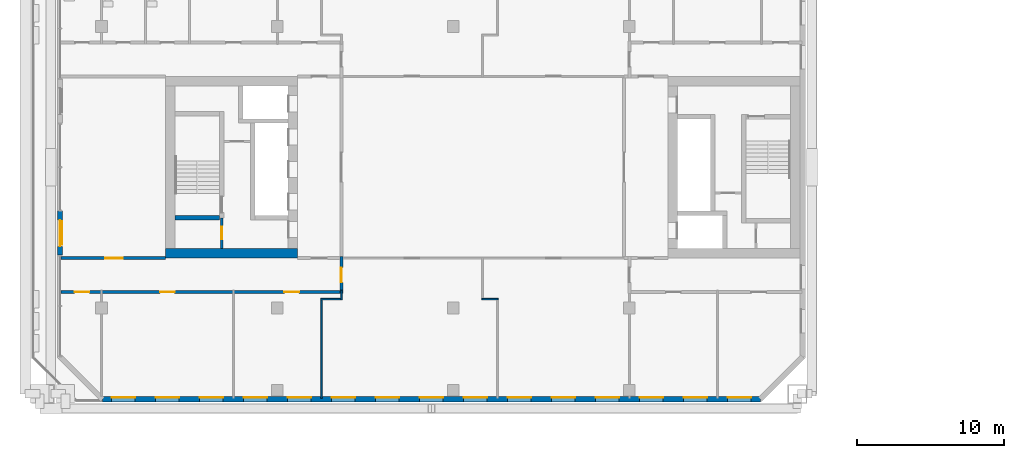
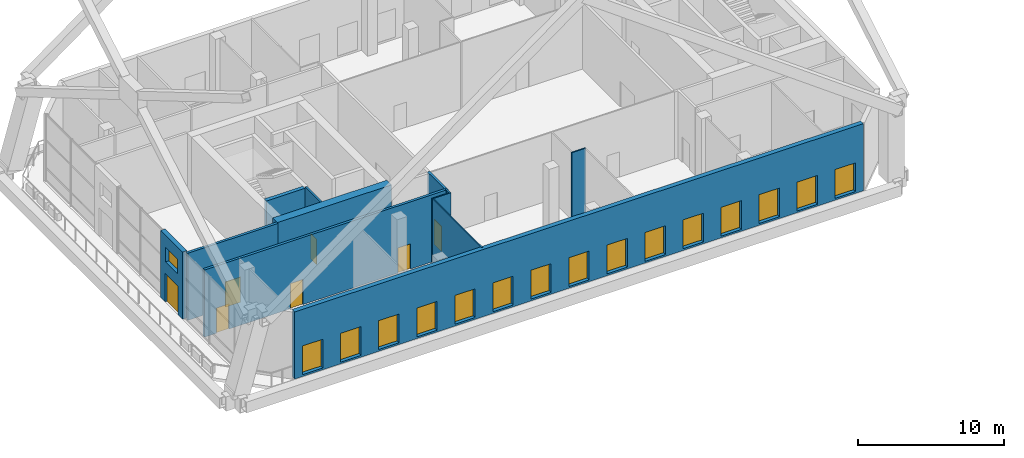
# One storey, part 9 of 20: 16 windows, 12 walls, 7 doors, 23 openings.
"""IFC4 building model written with IfcOpenShell, lengths in metres."""

from ifc_helpers import new_model, si_unit, direction, frame, frame_2d, origin, place, context, subcontext, project, spatial, rectangle, extrude, material, layer, layer_set, type_object, element, fill, save


model = new_model("IFC4")

# Units and contexts
model_context = context("Model", 3, precision=1e-05, world=origin(), true_north=direction((0.0, 1.0)))
body_context = subcontext(model_context, "Body", "Model", "MODEL_VIEW")
ifc_project = project(units=[si_unit("LENGTHUNIT", "METRE"), si_unit("AREAUNIT", "SQUARE_METRE"), si_unit("VOLUMEUNIT", "CUBIC_METRE"), si_unit("PLANEANGLEUNIT", "RADIAN"), si_unit("MASSUNIT", "GRAM", prefix="KILO")], contexts=[model_context])

# Site, building, storey
site_placement = place(None, origin())
site = spatial("IfcSite", under=ifc_project, at=site_placement, CompositionType="ELEMENT")
building_placement = place(site_placement, origin())
building = spatial("IfcBuilding", under=site, at=building_placement, Name="Tuart Gate Housing", CompositionType="ELEMENT")
storey_placement = place(building_placement, frame((0.0, 0.0, 90.199951171875)))
storey = spatial("IfcBuildingStorey", under=building, at=storey_placement, Name="L25", CompositionType="ELEMENT", Elevation=90.199951171875)

# Wall, openings, windows
ifc_material_1 = material(Name="Brick", Category="masonry")
ifc_layer_1 = layer(ifc_material_1, 0.360107421875)
ifc_layer_set_1 = layer_set([ifc_layer_1], Name="Brick pier and spandrel wall 360")
wall_type_1 = type_object("IfcWallType", Name="Brick pier and spandrel wall 360", PredefinedType="STANDARD", material=ifc_layer_set_1)
wall_1_placement = place(storey_placement, frame((28.07470703125, 54.179931640625, 0.0), z_axis=(0.0, 0.0, 1.0), x_axis=(1.0, 0.0, 0.0)))
wall_1 = element("IfcWall", 1, at=wall_1_placement, inside=storey, type_object=wall_type_1, Name="External wall A-S L25", PredefinedType="STANDARD", context=body_context, shape_type="SweptSolid", body=[
    extrude(rectangle(XDim=44.850830078125, YDim=0.360107421875, at=frame_2d((22.42529296875, 0.0))), origin(), (0.0, 0.0, 1.0), 5.60009765625),
])
opening_1_placement = place(wall_1_placement, frame((0.62548828125, 0.0, 0.14990234375)))
opening_1 = element("IfcOpeningElement", 2, at=opening_1_placement, cuts=wall_1, Name="Opening W2", PredefinedType="OPENING", context=body_context, shape_type="SweptSolid", body=[
    extrude(rectangle(XDim=1.60009765625, YDim=2.39990234375, at=frame_2d((0.800048828125, 1.199951171875))), frame((0.0, 0.18994140625, 0.0), z_axis=(0.0, -1.0, 0.0), x_axis=(1.0, 0.0, 0.0)), (0.0, 0.0, 1.0), 0.380126953125),
])
opening_2_placement = place(wall_1_placement, frame((3.62548828125, 0.0, 0.14990234375)))
opening_2 = element("IfcOpeningElement", 3, at=opening_2_placement, cuts=wall_1, Name="Opening W2", PredefinedType="OPENING", context=body_context, shape_type="SweptSolid", body=[
    extrude(rectangle(XDim=1.60009765625, YDim=2.39990234375, at=frame_2d((0.800048828125, 1.199951171875))), frame((0.0, 0.18994140625, 0.0), z_axis=(0.0, -1.0, 0.0), x_axis=(1.0, 0.0, 0.0)), (0.0, 0.0, 1.0), 0.380126953125),
])
opening_3_placement = place(wall_1_placement, frame((6.62548828125, 0.0, 0.14990234375)))
opening_3 = element("IfcOpeningElement", 4, at=opening_3_placement, cuts=wall_1, Name="Opening W2", PredefinedType="OPENING", context=body_context, shape_type="SweptSolid", body=[
    extrude(rectangle(XDim=1.60009765625, YDim=2.39990234375, at=frame_2d((0.800048828125, 1.199951171875))), frame((0.0, 0.18994140625, 0.0), z_axis=(0.0, -1.0, 0.0), x_axis=(1.0, 0.0, 0.0)), (0.0, 0.0, 1.0), 0.380126953125),
])
opening_4_placement = place(wall_1_placement, frame((9.62548828125, 0.0, 0.14990234375)))
opening_4 = element("IfcOpeningElement", 5, at=opening_4_placement, cuts=wall_1, Name="Opening W2", PredefinedType="OPENING", context=body_context, shape_type="SweptSolid", body=[
    extrude(rectangle(XDim=1.60009765625, YDim=2.39990234375, at=frame_2d((0.800048828125, 1.199951171875))), frame((0.0, 0.18994140625, 0.0), z_axis=(0.0, -1.0, 0.0), x_axis=(1.0, 0.0, 0.0)), (0.0, 0.0, 1.0), 0.380126953125),
])
opening_5_placement = place(wall_1_placement, frame((12.62548828125, 0.0, 0.14990234375)))
opening_5 = element("IfcOpeningElement", 6, at=opening_5_placement, cuts=wall_1, Name="Opening W2", PredefinedType="OPENING", context=body_context, shape_type="SweptSolid", body=[
    extrude(rectangle(XDim=1.60009765625, YDim=2.39990234375, at=frame_2d((0.800048828125, 1.199951171875))), frame((0.0, 0.18994140625, 0.0), z_axis=(0.0, -1.0, 0.0), x_axis=(1.0, 0.0, 0.0)), (0.0, 0.0, 1.0), 0.380126953125),
])
opening_6_placement = place(wall_1_placement, frame((15.62548828125, 0.0, 0.14990234375)))
opening_6 = element("IfcOpeningElement", 7, at=opening_6_placement, cuts=wall_1, Name="Opening W2", PredefinedType="OPENING", context=body_context, shape_type="SweptSolid", body=[
    extrude(rectangle(XDim=1.60009765625, YDim=2.39990234375, at=frame_2d((0.800048828125, 1.199951171875))), frame((0.0, 0.18994140625, 0.0), z_axis=(0.0, -1.0, 0.0), x_axis=(1.0, 0.0, 0.0)), (0.0, 0.0, 1.0), 0.380126953125),
])
opening_7_placement = place(wall_1_placement, frame((18.62548828125, 0.0, 0.14990234375)))
opening_7 = element("IfcOpeningElement", 8, at=opening_7_placement, cuts=wall_1, Name="Opening W2", PredefinedType="OPENING", context=body_context, shape_type="SweptSolid", body=[
    extrude(rectangle(XDim=1.60009765625, YDim=2.39990234375, at=frame_2d((0.800048828125, 1.199951171875))), frame((0.0, 0.18994140625, 0.0), z_axis=(0.0, -1.0, 0.0), x_axis=(1.0, 0.0, 0.0)), (0.0, 0.0, 1.0), 0.380126953125),
])
opening_8_placement = place(wall_1_placement, frame((21.62548828125, 0.0, 0.14990234375)))
opening_8 = element("IfcOpeningElement", 9, at=opening_8_placement, cuts=wall_1, Name="Opening W2", PredefinedType="OPENING", context=body_context, shape_type="SweptSolid", body=[
    extrude(rectangle(XDim=1.60009765625, YDim=2.39990234375, at=frame_2d((0.800048828125, 1.199951171875))), frame((0.0, 0.18994140625, 0.0), z_axis=(0.0, -1.0, 0.0), x_axis=(1.0, 0.0, 0.0)), (0.0, 0.0, 1.0), 0.380126953125),
])
opening_9_placement = place(wall_1_placement, frame((24.62548828125, 0.0, 0.14990234375)))
opening_9 = element("IfcOpeningElement", 10, at=opening_9_placement, cuts=wall_1, Name="Opening W2", PredefinedType="OPENING", context=body_context, shape_type="SweptSolid", body=[
    extrude(rectangle(XDim=1.60009765625, YDim=2.39990234375, at=frame_2d((0.800048828125, 1.199951171875))), frame((0.0, 0.18994140625, 0.0), z_axis=(0.0, -1.0, 0.0), x_axis=(1.0, 0.0, 0.0)), (0.0, 0.0, 1.0), 0.380126953125),
])
opening_10_placement = place(wall_1_placement, frame((27.62548828125, 0.0, 0.14990234375)))
opening_10 = element("IfcOpeningElement", 11, at=opening_10_placement, cuts=wall_1, Name="Opening W2", PredefinedType="OPENING", context=body_context, shape_type="SweptSolid", body=[
    extrude(rectangle(XDim=1.60009765625, YDim=2.39990234375, at=frame_2d((0.800048828125, 1.199951171875))), frame((0.0, 0.18994140625, 0.0), z_axis=(0.0, -1.0, 0.0), x_axis=(1.0, 0.0, 0.0)), (0.0, 0.0, 1.0), 0.380126953125),
])
opening_11_placement = place(wall_1_placement, frame((30.62548828125, 0.0, 0.14990234375)))
opening_11 = element("IfcOpeningElement", 12, at=opening_11_placement, cuts=wall_1, Name="Opening W2", PredefinedType="OPENING", context=body_context, shape_type="SweptSolid", body=[
    extrude(rectangle(XDim=1.60009765625, YDim=2.39990234375, at=frame_2d((0.800048828125, 1.199951171875))), frame((0.0, 0.18994140625, 0.0), z_axis=(0.0, -1.0, 0.0), x_axis=(1.0, 0.0, 0.0)), (0.0, 0.0, 1.0), 0.380126953125),
])
opening_12_placement = place(wall_1_placement, frame((33.62548828125, 0.0, 0.14990234375)))
opening_12 = element("IfcOpeningElement", 13, at=opening_12_placement, cuts=wall_1, Name="Opening W2", PredefinedType="OPENING", context=body_context, shape_type="SweptSolid", body=[
    extrude(rectangle(XDim=1.60009765625, YDim=2.39990234375, at=frame_2d((0.800048828125, 1.199951171875))), frame((0.0, 0.18994140625, 0.0), z_axis=(0.0, -1.0, 0.0), x_axis=(1.0, 0.0, 0.0)), (0.0, 0.0, 1.0), 0.380126953125),
])
opening_13_placement = place(wall_1_placement, frame((36.62548828125, 0.0, 0.14990234375)))
opening_13 = element("IfcOpeningElement", 14, at=opening_13_placement, cuts=wall_1, Name="Opening W2", PredefinedType="OPENING", context=body_context, shape_type="SweptSolid", body=[
    extrude(rectangle(XDim=1.60009765625, YDim=2.39990234375, at=frame_2d((0.800048828125, 1.199951171875))), frame((0.0, 0.18994140625, 0.0), z_axis=(0.0, -1.0, 0.0), x_axis=(1.0, 0.0, 0.0)), (0.0, 0.0, 1.0), 0.380126953125),
])
opening_14_placement = place(wall_1_placement, frame((39.62548828125, 0.0, 0.14990234375)))
opening_14 = element("IfcOpeningElement", 15, at=opening_14_placement, cuts=wall_1, Name="Opening W2", PredefinedType="OPENING", context=body_context, shape_type="SweptSolid", body=[
    extrude(rectangle(XDim=1.60009765625, YDim=2.39990234375, at=frame_2d((0.800048828125, 1.199951171875))), frame((0.0, 0.18994140625, 0.0), z_axis=(0.0, -1.0, 0.0), x_axis=(1.0, 0.0, 0.0)), (0.0, 0.0, 1.0), 0.380126953125),
])
opening_15_placement = place(wall_1_placement, frame((42.62548828125, 0.0, 0.14990234375)))
opening_15 = element("IfcOpeningElement", 16, at=opening_15_placement, cuts=wall_1, Name="Opening W2", PredefinedType="OPENING", context=body_context, shape_type="SweptSolid", body=[
    extrude(rectangle(XDim=1.60009765625, YDim=2.39990234375, at=frame_2d((0.800048828125, 1.199951171875))), frame((0.0, 0.18994140625, 0.0), z_axis=(0.0, -1.0, 0.0), x_axis=(1.0, 0.0, 0.0)), (0.0, 0.0, 1.0), 0.380126953125),
])
ifc_material_2 = material(Name="Aluminium frame with clear glass", Category="aluminium")
window_type_1 = type_object("IfcWindowType", Name="Garden lounge window 1600 x 2400", PartitioningType="SINGLE_PANEL", PredefinedType="WINDOW", material=ifc_material_2)
window_1_placement = place(opening_1_placement, origin())
window_1 = element("IfcWindow", 17, at=window_1_placement, inside=storey, type_object=window_type_1, Name="Window W2", OverallHeight=2.39990234375, OverallWidth=1.60009765625, PartitioningType="SINGLE_PANEL", PredefinedType="WINDOW", context=body_context, shape_type="SweptSolid", body=[
    extrude(rectangle(XDim=1.60009765625, YDim=2.39990234375, at=frame_2d((0.800048828125, 1.199951171875))), frame((0.0, 0.150146484375, 0.0), z_axis=(0.0, -1.0, 0.0), x_axis=(1.0, 0.0, 0.0)), (0.0, 0.0, 1.0), 0.06005859375),
])
fill(opening_1, window_1)
window_2_placement = place(opening_2_placement, origin())
window_2 = element("IfcWindow", 18, at=window_2_placement, inside=storey, type_object=window_type_1, Name="Window W2", OverallHeight=2.39990234375, OverallWidth=1.60009765625, PartitioningType="SINGLE_PANEL", PredefinedType="WINDOW", context=body_context, shape_type="SweptSolid", body=[
    extrude(rectangle(XDim=1.60009765625, YDim=2.39990234375, at=frame_2d((0.800048828125, 1.199951171875))), frame((0.0, 0.150146484375, 0.0), z_axis=(0.0, -1.0, 0.0), x_axis=(1.0, 0.0, 0.0)), (0.0, 0.0, 1.0), 0.06005859375),
])
fill(opening_2, window_2)
window_3_placement = place(opening_3_placement, origin())
window_3 = element("IfcWindow", 19, at=window_3_placement, inside=storey, type_object=window_type_1, Name="Window W2", OverallHeight=2.39990234375, OverallWidth=1.60009765625, PartitioningType="SINGLE_PANEL", PredefinedType="WINDOW", context=body_context, shape_type="SweptSolid", body=[
    extrude(rectangle(XDim=1.60009765625, YDim=2.39990234375, at=frame_2d((0.800048828125, 1.199951171875))), frame((0.0, 0.150146484375, 0.0), z_axis=(0.0, -1.0, 0.0), x_axis=(1.0, 0.0, 0.0)), (0.0, 0.0, 1.0), 0.06005859375),
])
fill(opening_3, window_3)
window_4_placement = place(opening_4_placement, origin())
window_4 = element("IfcWindow", 20, at=window_4_placement, inside=storey, type_object=window_type_1, Name="Window W2", OverallHeight=2.39990234375, OverallWidth=1.60009765625, PartitioningType="SINGLE_PANEL", PredefinedType="WINDOW", context=body_context, shape_type="SweptSolid", body=[
    extrude(rectangle(XDim=1.60009765625, YDim=2.39990234375, at=frame_2d((0.800048828125, 1.199951171875))), frame((0.0, 0.150146484375, 0.0), z_axis=(0.0, -1.0, 0.0), x_axis=(1.0, 0.0, 0.0)), (0.0, 0.0, 1.0), 0.06005859375),
])
fill(opening_4, window_4)
window_5_placement = place(opening_5_placement, origin())
window_5 = element("IfcWindow", 21, at=window_5_placement, inside=storey, type_object=window_type_1, Name="Window W2", OverallHeight=2.39990234375, OverallWidth=1.60009765625, PartitioningType="SINGLE_PANEL", PredefinedType="WINDOW", context=body_context, shape_type="SweptSolid", body=[
    extrude(rectangle(XDim=1.60009765625, YDim=2.39990234375, at=frame_2d((0.800048828125, 1.199951171875))), frame((0.0, 0.150146484375, 0.0), z_axis=(0.0, -1.0, 0.0), x_axis=(1.0, 0.0, 0.0)), (0.0, 0.0, 1.0), 0.06005859375),
])
fill(opening_5, window_5)
window_6_placement = place(opening_6_placement, origin())
window_6 = element("IfcWindow", 22, at=window_6_placement, inside=storey, type_object=window_type_1, Name="Window W2", OverallHeight=2.39990234375, OverallWidth=1.60009765625, PartitioningType="SINGLE_PANEL", PredefinedType="WINDOW", context=body_context, shape_type="SweptSolid", body=[
    extrude(rectangle(XDim=1.60009765625, YDim=2.39990234375, at=frame_2d((0.800048828125, 1.199951171875))), frame((0.0, 0.150146484375, 0.0), z_axis=(0.0, -1.0, 0.0), x_axis=(1.0, 0.0, 0.0)), (0.0, 0.0, 1.0), 0.06005859375),
])
fill(opening_6, window_6)
window_7_placement = place(opening_7_placement, origin())
window_7 = element("IfcWindow", 23, at=window_7_placement, inside=storey, type_object=window_type_1, Name="Window W2", OverallHeight=2.39990234375, OverallWidth=1.60009765625, PartitioningType="SINGLE_PANEL", PredefinedType="WINDOW", context=body_context, shape_type="SweptSolid", body=[
    extrude(rectangle(XDim=1.60009765625, YDim=2.39990234375, at=frame_2d((0.800048828125, 1.199951171875))), frame((0.0, 0.150146484375, 0.0), z_axis=(0.0, -1.0, 0.0), x_axis=(1.0, 0.0, 0.0)), (0.0, 0.0, 1.0), 0.06005859375),
])
fill(opening_7, window_7)
window_8_placement = place(opening_8_placement, origin())
window_8 = element("IfcWindow", 24, at=window_8_placement, inside=storey, type_object=window_type_1, Name="Window W2", OverallHeight=2.39990234375, OverallWidth=1.60009765625, PartitioningType="SINGLE_PANEL", PredefinedType="WINDOW", context=body_context, shape_type="SweptSolid", body=[
    extrude(rectangle(XDim=1.60009765625, YDim=2.39990234375, at=frame_2d((0.800048828125, 1.199951171875))), frame((0.0, 0.150146484375, 0.0), z_axis=(0.0, -1.0, 0.0), x_axis=(1.0, 0.0, 0.0)), (0.0, 0.0, 1.0), 0.06005859375),
])
fill(opening_8, window_8)
window_9_placement = place(opening_9_placement, origin())
window_9 = element("IfcWindow", 25, at=window_9_placement, inside=storey, type_object=window_type_1, Name="Window W2", OverallHeight=2.39990234375, OverallWidth=1.60009765625, PartitioningType="SINGLE_PANEL", PredefinedType="WINDOW", context=body_context, shape_type="SweptSolid", body=[
    extrude(rectangle(XDim=1.60009765625, YDim=2.39990234375, at=frame_2d((0.800048828125, 1.199951171875))), frame((0.0, 0.150146484375, 0.0), z_axis=(0.0, -1.0, 0.0), x_axis=(1.0, 0.0, 0.0)), (0.0, 0.0, 1.0), 0.06005859375),
])
fill(opening_9, window_9)
window_10_placement = place(opening_10_placement, origin())
window_10 = element("IfcWindow", 26, at=window_10_placement, inside=storey, type_object=window_type_1, Name="Window W2", OverallHeight=2.39990234375, OverallWidth=1.60009765625, PartitioningType="SINGLE_PANEL", PredefinedType="WINDOW", context=body_context, shape_type="SweptSolid", body=[
    extrude(rectangle(XDim=1.60009765625, YDim=2.39990234375, at=frame_2d((0.800048828125, 1.199951171875))), frame((0.0, 0.150146484375, 0.0), z_axis=(0.0, -1.0, 0.0), x_axis=(1.0, 0.0, 0.0)), (0.0, 0.0, 1.0), 0.06005859375),
])
fill(opening_10, window_10)
window_11_placement = place(opening_11_placement, origin())
window_11 = element("IfcWindow", 27, at=window_11_placement, inside=storey, type_object=window_type_1, Name="Window W2", OverallHeight=2.39990234375, OverallWidth=1.60009765625, PartitioningType="SINGLE_PANEL", PredefinedType="WINDOW", context=body_context, shape_type="SweptSolid", body=[
    extrude(rectangle(XDim=1.60009765625, YDim=2.39990234375, at=frame_2d((0.800048828125, 1.199951171875))), frame((0.0, 0.150146484375, 0.0), z_axis=(0.0, -1.0, 0.0), x_axis=(1.0, 0.0, 0.0)), (0.0, 0.0, 1.0), 0.06005859375),
])
fill(opening_11, window_11)
window_12_placement = place(opening_12_placement, origin())
window_12 = element("IfcWindow", 28, at=window_12_placement, inside=storey, type_object=window_type_1, Name="Window W2", OverallHeight=2.39990234375, OverallWidth=1.60009765625, PartitioningType="SINGLE_PANEL", PredefinedType="WINDOW", context=body_context, shape_type="SweptSolid", body=[
    extrude(rectangle(XDim=1.60009765625, YDim=2.39990234375, at=frame_2d((0.800048828125, 1.199951171875))), frame((0.0, 0.150146484375, 0.0), z_axis=(0.0, -1.0, 0.0), x_axis=(1.0, 0.0, 0.0)), (0.0, 0.0, 1.0), 0.06005859375),
])
fill(opening_12, window_12)
window_13_placement = place(opening_13_placement, origin())
window_13 = element("IfcWindow", 29, at=window_13_placement, inside=storey, type_object=window_type_1, Name="Window W2", OverallHeight=2.39990234375, OverallWidth=1.60009765625, PartitioningType="SINGLE_PANEL", PredefinedType="WINDOW", context=body_context, shape_type="SweptSolid", body=[
    extrude(rectangle(XDim=1.60009765625, YDim=2.39990234375, at=frame_2d((0.800048828125, 1.199951171875))), frame((0.0, 0.150146484375, 0.0), z_axis=(0.0, -1.0, 0.0), x_axis=(1.0, 0.0, 0.0)), (0.0, 0.0, 1.0), 0.06005859375),
])
fill(opening_13, window_13)
window_14_placement = place(opening_14_placement, origin())
window_14 = element("IfcWindow", 30, at=window_14_placement, inside=storey, type_object=window_type_1, Name="Window W2", OverallHeight=2.39990234375, OverallWidth=1.60009765625, PartitioningType="SINGLE_PANEL", PredefinedType="WINDOW", context=body_context, shape_type="SweptSolid", body=[
    extrude(rectangle(XDim=1.60009765625, YDim=2.39990234375, at=frame_2d((0.800048828125, 1.199951171875))), frame((0.0, 0.150146484375, 0.0), z_axis=(0.0, -1.0, 0.0), x_axis=(1.0, 0.0, 0.0)), (0.0, 0.0, 1.0), 0.06005859375),
])
fill(opening_14, window_14)
window_15_placement = place(opening_15_placement, origin())
window_15 = element("IfcWindow", 31, at=window_15_placement, inside=storey, type_object=window_type_1, Name="Window W2", OverallHeight=2.39990234375, OverallWidth=1.60009765625, PartitioningType="SINGLE_PANEL", PredefinedType="WINDOW", context=body_context, shape_type="SweptSolid", body=[
    extrude(rectangle(XDim=1.60009765625, YDim=2.39990234375, at=frame_2d((0.800048828125, 1.199951171875))), frame((0.0, 0.150146484375, 0.0), z_axis=(0.0, -1.0, 0.0), x_axis=(1.0, 0.0, 0.0)), (0.0, 0.0, 1.0), 0.06005859375),
])
fill(opening_15, window_15)

# Wall, openings, door, window
wall_2_placement = place(storey_placement, frame((25.179931640625, 67.0, 0.0), z_axis=(0.0, 0.0, 1.0), x_axis=(0.0, -1.0, 0.0)))
wall_2 = element("IfcWall", 32, at=wall_2_placement, inside=storey, type_object=wall_type_1, Name="External wall A-W L25", PredefinedType="STANDARD", context=body_context, shape_type="SweptSolid", body=[
    extrude(rectangle(XDim=3.0, YDim=0.360107421875, at=frame_2d((1.5, 0.0))), origin(), (0.0, 0.0, 1.0), 5.60009765625),
])
opening_16_placement = place(wall_2_placement, frame((0.699951171875, 0.0, 3.39990234375)))
opening_16 = element("IfcOpeningElement", 33, at=opening_16_placement, cuts=wall_2, Name="Opening W3", PredefinedType="OPENING", context=body_context, shape_type="SweptSolid", body=[
    extrude(rectangle(XDim=1.60009765625, YDim=1.199951171875, at=frame_2d((0.800048828125, 0.60009765625))), frame((0.0, 0.18994140625, 0.0), z_axis=(0.0, -1.0, 0.0), x_axis=(1.0, 0.0, 0.0)), (0.0, 0.0, 1.0), 0.380126953125),
])
opening_17_placement = place(wall_2_placement, frame((0.60009765625, 0.0, 0.0)))
opening_17 = element("IfcOpeningElement", 34, at=opening_17_placement, cuts=wall_2, Name="Opening D2877", PredefinedType="OPENING", context=body_context, shape_type="SweptSolid", body=[
    extrude(rectangle(XDim=1.800048828125, YDim=2.39990234375, at=frame_2d((0.89990234375, 1.199951171875))), frame((0.0, 0.18994140625, 0.0), z_axis=(0.0, -1.0, 0.0), x_axis=(1.0, 0.0, 0.0)), (0.0, 0.0, 1.0), 0.380126953125),
])
ifc_material_3 = material(Name="Aluminium framed glazed door", Category="aluminium")
door_type_1 = type_object("IfcDoorType", Name="Entrance door 1800 x 2400", OperationType="DOUBLE_DOOR_SINGLE_SWING", PredefinedType="DOOR", material=ifc_material_3)
door_1_placement = place(opening_17_placement, frame((1.800048828125, 0.0, 0.0), z_axis=(0.0, 0.0, 1.0), x_axis=(-1.0, 0.0, 0.0)))
door_1 = element("IfcDoor", 35, at=door_1_placement, inside=storey, type_object=door_type_1, Name="Leg A terrace door L25 2", OperationType="DOUBLE_DOOR_SINGLE_SWING", OverallHeight=2.39990234375, OverallWidth=1.800048828125, PredefinedType="DOOR", context=body_context, shape_type="SweptSolid", body=[
    extrude(rectangle(XDim=1.800048828125, YDim=2.39990234375, at=frame_2d((0.900146484375, 1.199951171875))), frame((0.0, 0.025146484375, 0.0), z_axis=(0.0, -1.0, 0.0), x_axis=(1.0, 0.0, 0.0)), (0.0, 0.0, 1.0), 0.050048828125),
])
fill(opening_17, door_1)
ifc_material_4 = material(Name="Aluminium louvre blades", Category="aluminium")
window_type_2 = type_object("IfcWindowType", Name="Louvre window 1600 x 1200", PartitioningType="DOUBLE_PANEL_HORIZONTAL", PredefinedType="WINDOW", material=ifc_material_4)
window_16_placement = place(opening_16_placement, origin())
window_16 = element("IfcWindow", 36, at=window_16_placement, inside=storey, type_object=window_type_2, Name="Louvre W3", OverallHeight=1.199951171875, OverallWidth=1.60009765625, PartitioningType="DOUBLE_PANEL_HORIZONTAL", PredefinedType="WINDOW", context=body_context, shape_type="SweptSolid", body=[
    extrude(rectangle(XDim=1.60009765625, YDim=1.199951171875, at=frame_2d((0.800048828125, 0.60009765625))), frame((0.0, 0.150146484375, 0.0), z_axis=(0.0, -1.0, 0.0), x_axis=(1.0, 0.0, 0.0)), (0.0, 0.0, 1.0), 0.06005859375),
])
fill(opening_16, window_16)

# Wall, opening, door
ifc_material_5 = material(Name="Plasterboard partition")
ifc_layer_2 = layer(ifc_material_5, 0.14990234375)
ifc_layer_set_2 = layer_set([ifc_layer_2], Name="Core partition 150")
wall_type_2 = type_object("IfcWallType", Name="Core partition 150", PredefinedType="PARTITIONING", material=ifc_layer_set_2)
wall_3_placement = place(storey_placement, frame((36.2099609375, 66.550048828125, 0.0), z_axis=(0.0, 0.0, 1.0), x_axis=(0.0, -1.0, 0.0)))
wall_3 = element("IfcWall", 37, at=wall_3_placement, inside=storey, type_object=wall_type_2, Name="Core partition AK.9", PredefinedType="PARTITIONING", context=body_context, shape_type="SweptSolid", body=[
    extrude(rectangle(XDim=2.10009765625, YDim=0.14990234375, at=frame_2d((1.050048828125, 0.0))), origin(), (0.0, 0.0, 1.0), 5.60009765625),
])
opening_18_placement = place(wall_3_placement, frame((0.625, 0.0, 0.0)))
opening_18 = element("IfcOpeningElement", 38, at=opening_18_placement, cuts=wall_3, Name="Opening D2878", PredefinedType="OPENING", context=body_context, shape_type="SweptSolid", body=[
    extrude(rectangle(XDim=0.85009765625, YDim=2.10009765625, at=frame_2d((0.425048828125, 1.050048828125))), frame((0.0, 0.0849609375, 0.0), z_axis=(0.0, -1.0, 0.0), x_axis=(1.0, 0.0, 0.0)), (0.0, 0.0, 1.0), 0.169921875),
])
ifc_material_6 = material(Name="Steel fire door", Category="steel")
door_type_2 = type_object("IfcDoorType", Name="Service door 850 x 2100 RH", OperationType="SINGLE_SWING_RIGHT", PredefinedType="DOOR", material=ifc_material_6)
door_2_placement = place(opening_18_placement, frame((0.85009765625, 0.0, 0.0), z_axis=(0.0, 0.0, 1.0), x_axis=(-1.0, 0.0, 0.0)))
door_2 = element("IfcDoor", 39, at=door_2_placement, inside=storey, type_object=door_type_2, Name="Service room door AK.ST", OperationType="SINGLE_SWING_RIGHT", OverallHeight=2.10009765625, OverallWidth=0.85009765625, PredefinedType="DOOR", context=body_context, shape_type="SweptSolid", body=[
    extrude(rectangle(XDim=0.85009765625, YDim=2.10009765625, at=frame_2d((0.425048828125, 1.050048828125))), frame((0.0, 0.025146484375, 0.0), z_axis=(0.0, -1.0, 0.0), x_axis=(1.0, 0.0, 0.0)), (0.0, 0.0, 1.0), 0.050048828125),
])
fill(opening_18, door_2)

# Walls
ifc_material_7 = material(Name="Concrete C50", Category="concrete")
ifc_layer_3 = layer(ifc_material_7, 0.300048828125)
ifc_layer_set_3 = layer_set([ifc_layer_3], Name="Core wall 300 C50")
wall_type_3 = type_object("IfcWallType", Name="Core wall 300 C50", PredefinedType="SHEAR", material=ifc_layer_set_3)
wall_4_placement = place(storey_placement, frame((36.06005859375, 66.550048828125, 0.0), z_axis=(0.0, 0.0, 1.0), x_axis=(-1.0, 0.0, 0.0)))
element("IfcWall", 40, at=wall_4_placement, inside=storey, type_object=wall_type_3, Name="Core wall AK.5", PredefinedType="SHEAR", context=body_context, shape_type="SweptSolid", body=[
    extrude(rectangle(XDim=3.050048828125, YDim=0.300048828125, at=frame_2d((1.52490234375, 0.0))), origin(), (0.0, 0.0, 1.0), 5.60009765625),
])
ifc_material_8 = material(Name="Concrete C50", Category="concrete")
ifc_layer_4 = layer(ifc_material_8, 0.64990234375)
ifc_layer_set_4 = layer_set([ifc_layer_4], Name="Core wall 650 C50")
wall_type_4 = type_object("IfcWallType", Name="Core wall 650 C50", PredefinedType="SHEAR", material=ifc_layer_set_4)
wall_5_placement = place(storey_placement, frame((41.360107421875, 64.125, 0.0), z_axis=(0.0, 0.0, 1.0), x_axis=(-1.0, 0.0, 0.0)))
element("IfcWall", 41, at=wall_5_placement, inside=storey, type_object=wall_type_4, Name="Core wall AK north", PredefinedType="SHEAR", context=body_context, shape_type="SweptSolid", body=[
    extrude(rectangle(XDim=9.0, YDim=0.64990234375, at=frame_2d((4.5, 0.0))), origin(), (0.0, 0.0, 1.0), 5.60009765625),
])

# Wall, openings, doors
ifc_material_9 = material(Name="Concrete masonry 15 MPa", Category="masonry")
ifc_layer_5 = layer(ifc_material_9, 0.199951171875)
ifc_layer_set_5 = layer_set([ifc_layer_5], Name="Corridor wall masonry 200")
wall_type_5 = type_object("IfcWallType", Name="Corridor wall masonry 200", PredefinedType="PARTITIONING", material=ifc_layer_set_5)
wall_6_placement = place(storey_placement, frame((25.239990234375, 61.5, 0.0), z_axis=(0.0, 0.0, 1.0), x_axis=(1.0, 0.0, 0.0)))
wall_6 = element("IfcWall", 42, at=wall_6_placement, inside=storey, type_object=wall_type_5, Name="Corridor wall masonry 200", PredefinedType="PARTITIONING", context=body_context, shape_type="SweptSolid", body=[
    extrude(rectangle(XDim=19.219970703125, YDim=0.199951171875, at=frame_2d((9.60986328125, 0.0))), origin(), (0.0, 0.0, 1.0), 5.60009765625),
])
opening_19_placement = place(wall_6_placement, frame((0.93994140625, 0.0, 0.0)))
opening_19 = element("IfcOpeningElement", 43, at=opening_19_placement, cuts=wall_6, Name="Opening D2887", PredefinedType="OPENING", context=body_context, shape_type="SweptSolid", body=[
    extrude(rectangle(XDim=1.0, YDim=2.10009765625, at=frame_2d((0.5, 1.050048828125))), frame((0.0, 0.10986328125, 0.0), z_axis=(0.0, -1.0, 0.0), x_axis=(1.0, 0.0, 0.0)), (0.0, 0.0, 1.0), 0.219970703125),
])
opening_20_placement = place(wall_6_placement, frame((6.760009765625, 0.0, 0.0)))
opening_20 = element("IfcOpeningElement", 44, at=opening_20_placement, cuts=wall_6, Name="Opening D2888", PredefinedType="OPENING", context=body_context, shape_type="SweptSolid", body=[
    extrude(rectangle(XDim=1.0, YDim=2.10009765625, at=frame_2d((0.5, 1.050048828125))), frame((0.0, 0.10986328125, 0.0), z_axis=(0.0, -1.0, 0.0), x_axis=(1.0, 0.0, 0.0)), (0.0, 0.0, 1.0), 0.219970703125),
])
opening_21_placement = place(wall_6_placement, frame((15.239990234375, 0.0, 0.0)))
opening_21 = element("IfcOpeningElement", 45, at=opening_21_placement, cuts=wall_6, Name="Opening D2889", PredefinedType="OPENING", context=body_context, shape_type="SweptSolid", body=[
    extrude(rectangle(XDim=1.0, YDim=2.10009765625, at=frame_2d((0.5, 1.050048828125))), frame((0.0, 0.10986328125, 0.0), z_axis=(0.0, -1.0, 0.0), x_axis=(1.0, 0.0, 0.0)), (0.0, 0.0, 1.0), 0.219970703125),
])
ifc_material_10 = material(Name="Timber door leaf in steel frame", Category="steel")
door_type_3 = type_object("IfcDoorType", Name="Fire door 1000", OperationType="SINGLE_SWING_LEFT", PredefinedType="DOOR", material=ifc_material_10)
door_3_placement = place(opening_19_placement, frame((1.0, 0.0, 0.0), z_axis=(0.0, 0.0, 1.0), x_axis=(-1.0, 0.0, 0.0)))
door_3 = element("IfcDoor", 46, at=door_3_placement, inside=storey, type_object=door_type_3, Name="Fire door 1000", OperationType="SINGLE_SWING_LEFT", OverallHeight=2.10009765625, OverallWidth=1.0, PredefinedType="DOOR", context=body_context, shape_type="SweptSolid", body=[
    extrude(rectangle(XDim=1.0, YDim=2.10009765625, at=frame_2d((0.5, 1.050048828125))), frame((0.0, 0.025146484375, 0.0), z_axis=(0.0, -1.0, 0.0), x_axis=(1.0, 0.0, 0.0)), (0.0, 0.0, 1.0), 0.050048828125),
])
fill(opening_19, door_3)
door_4_placement = place(opening_21_placement, frame((1.0, 0.0, 0.0), z_axis=(0.0, 0.0, 1.0), x_axis=(-1.0, 0.0, 0.0)))
door_4 = element("IfcDoor", 47, at=door_4_placement, inside=storey, type_object=door_type_3, Name="Fire door 1000", OperationType="SINGLE_SWING_LEFT", OverallHeight=2.10009765625, OverallWidth=1.0, PredefinedType="DOOR", context=body_context, shape_type="SweptSolid", body=[
    extrude(rectangle(XDim=1.0, YDim=2.10009765625, at=frame_2d((0.5, 1.050048828125))), frame((0.0, 0.025146484375, 0.0), z_axis=(0.0, -1.0, 0.0), x_axis=(1.0, 0.0, 0.0)), (0.0, 0.0, 1.0), 0.050048828125),
])
fill(opening_21, door_4)
ifc_material_11 = material(Name="Timber door leaf in steel frame", Category="steel")
door_type_4 = type_object("IfcDoorType", Name="Fire door 1000 RH", OperationType="SINGLE_SWING_RIGHT", PredefinedType="DOOR", material=ifc_material_11)
door_5_placement = place(opening_20_placement, frame((1.0, 0.0, 0.0), z_axis=(0.0, 0.0, 1.0), x_axis=(-1.0, 0.0, 0.0)))
door_5 = element("IfcDoor", 48, at=door_5_placement, inside=storey, type_object=door_type_4, Name="Fire door 1000", OperationType="SINGLE_SWING_RIGHT", OverallHeight=2.10009765625, OverallWidth=1.0, PredefinedType="DOOR", context=body_context, shape_type="SweptSolid", body=[
    extrude(rectangle(XDim=1.0, YDim=2.10009765625, at=frame_2d((0.5, 1.050048828125))), frame((0.0, 0.025146484375, 0.0), z_axis=(0.0, -1.0, 0.0), x_axis=(1.0, 0.0, 0.0)), (0.0, 0.0, 1.0), 0.050048828125),
])
fill(opening_20, door_5)

# Wall, opening, door
wall_7_placement = place(storey_placement, frame((25.239990234375, 63.800048828125, 0.0), z_axis=(0.0, 0.0, 1.0), x_axis=(1.0, 0.0, 0.0)))
wall_7 = element("IfcWall", 49, at=wall_7_placement, inside=storey, type_object=wall_type_5, Name="Corridor wall masonry 200", PredefinedType="PARTITIONING", context=body_context, shape_type="SweptSolid", body=[
    extrude(rectangle(XDim=7.1201171875, YDim=0.199951171875, at=frame_2d((3.56005859375, 0.0))), origin(), (0.0, 0.0, 1.0), 5.60009765625),
])
opening_22_placement = place(wall_7_placement, frame((3.02001953125, 0.0, 0.0)))
opening_22 = element("IfcOpeningElement", 50, at=opening_22_placement, cuts=wall_7, Name="Opening D2880", PredefinedType="OPENING", context=body_context, shape_type="SweptSolid", body=[
    extrude(rectangle(XDim=1.199951171875, YDim=2.10009765625, at=frame_2d((0.60009765625, 1.050048828125))), frame((0.0, 0.10986328125, 0.0), z_axis=(0.0, -1.0, 0.0), x_axis=(1.0, 0.0, 0.0)), (0.0, 0.0, 1.0), 0.219970703125),
])
ifc_material_12 = material(Name="Timber door leaf in steel frame", Category="steel")
door_type_5 = type_object("IfcDoorType", Name="Fire door 1200", OperationType="SINGLE_SWING_LEFT", PredefinedType="DOOR", material=ifc_material_12)
door_6_placement = place(opening_22_placement, origin())
door_6 = element("IfcDoor", 51, at=door_6_placement, inside=storey, type_object=door_type_5, Name="Fire door 1200", OperationType="SINGLE_SWING_LEFT", OverallHeight=2.10009765625, OverallWidth=1.199951171875, PredefinedType="DOOR", context=body_context, shape_type="SweptSolid", body=[
    extrude(rectangle(XDim=1.199951171875, YDim=2.10009765625, at=frame_2d((0.60009765625, 1.050048828125))), frame((0.0, 0.02490234375, 0.0), z_axis=(0.0, -1.0, 0.0), x_axis=(1.0, 0.0, 0.0)), (0.0, 0.0, 1.0), 0.050048828125),
])
fill(opening_22, door_6)

wall_8_placement = place(storey_placement, frame((44.360107421875, 61.39794921875, 0.0), z_axis=(0.0, 0.0, 1.0), x_axis=(0.0, 1.0, 0.0)))
wall_8 = element("IfcWall", 52, at=wall_8_placement, inside=storey, type_object=wall_type_5, Name="Corridor wall masonry 200", PredefinedType="PARTITIONING", context=body_context, shape_type="SweptSolid", body=[
    extrude(rectangle(XDim=2.501953125, YDim=0.199951171875, at=frame_2d((1.2509765625, 0.0))), origin(), (0.0, 0.0, 1.0), 5.60009765625),
])
opening_23_placement = place(wall_8_placement, frame((0.7509765625, 0.0, 0.0)))
opening_23 = element("IfcOpeningElement", 53, at=opening_23_placement, cuts=wall_8, Name="Opening D2885", PredefinedType="OPENING", context=body_context, shape_type="SweptSolid", body=[
    extrude(rectangle(XDim=1.0, YDim=2.10009765625, at=frame_2d((0.5, 1.050048828125))), frame((0.0, 0.10986328125, 0.0), z_axis=(0.0, -1.0, 0.0), x_axis=(1.0, 0.0, 0.0)), (0.0, 0.0, 1.0), 0.219970703125),
])
door_7_placement = place(opening_23_placement, frame((1.0, 0.0, 0.0), z_axis=(0.0, 0.0, 1.0), x_axis=(-1.0, 0.0, 0.0)))
door_7 = element("IfcDoor", 54, at=door_7_placement, inside=storey, type_object=door_type_3, Name="Fire door 1000", OperationType="SINGLE_SWING_LEFT", OverallHeight=2.10009765625, OverallWidth=1.0, PredefinedType="DOOR", context=body_context, shape_type="SweptSolid", body=[
    extrude(rectangle(XDim=1.0, YDim=2.10009765625, at=frame_2d((0.5, 1.050048828125))), frame((0.0, 0.025146484375, 0.0), z_axis=(0.0, -1.0, 0.0), x_axis=(1.0, 0.0, 0.0)), (0.0, 0.0, 1.0), 0.050048828125),
])
fill(opening_23, door_7)

# Walls
ifc_material_13 = material(Name="Gypsum board on steel studs", Category="steel")
ifc_layer_6 = layer(ifc_material_13, 0.10009765625)
ifc_layer_set_6 = layer_set([ifc_layer_6], Name="Partition 100")
wall_type_6 = type_object("IfcWallType", Name="Partition 100", PredefinedType="PARTITIONING", material=ifc_layer_set_6)
wall_9_placement = place(storey_placement, frame((42.949951171875, 61.0, 0.0), z_axis=(0.0, 0.0, 1.0), x_axis=(1.0, 0.0, 0.0)))
element("IfcWall", 55, at=wall_9_placement, inside=storey, type_object=wall_type_6, Name="Partition 100", PredefinedType="PARTITIONING", context=body_context, shape_type="SweptSolid", body=[
    extrude(rectangle(XDim=1.4599609375, YDim=0.10009765625, at=frame_2d((0.72998046875, 0.0))), origin(), (0.0, 0.0, 1.0), 5.60009765625),
])
wall_10_placement = place(storey_placement, frame((53.949951171875, 61.0, 0.0), z_axis=(0.0, 0.0, 1.0), x_axis=(1.0, 0.0, 0.0)))
element("IfcWall", 56, at=wall_10_placement, inside=storey, type_object=wall_type_6, Name="Partition 100", PredefinedType="PARTITIONING", context=body_context, shape_type="SweptSolid", body=[
    extrude(rectangle(XDim=1.10009765625, YDim=0.10009765625, at=frame_2d((0.550048828125, 0.0))), origin(), (0.0, 0.0, 1.0), 5.60009765625),
])
wall_11_placement = place(storey_placement, frame((43.0, 54.239990234375, 0.0), z_axis=(0.0, 0.0, 1.0), x_axis=(0.0, 1.0, 0.0)))
element("IfcWall", 57, at=wall_11_placement, inside=storey, type_object=wall_type_6, Name="Partition 100", PredefinedType="PARTITIONING", context=body_context, shape_type="SweptSolid", body=[
    extrude(rectangle(XDim=6.81005859375, YDim=0.10009765625, at=frame_2d((3.405029296875, 0.0))), origin(), (0.0, 0.0, 1.0), 5.60009765625),
])
wall_12_placement = place(storey_placement, frame((44.360107421875, 60.949951171875, 0.0), z_axis=(0.0, 0.0, 1.0), x_axis=(0.0, 1.0, 0.0)))
element("IfcWall", 58, at=wall_12_placement, inside=storey, type_object=wall_type_6, Name="Partition 100", PredefinedType="PARTITIONING", context=body_context, shape_type="SweptSolid", body=[
    extrude(rectangle(XDim=0.652099609375, YDim=0.10009765625, at=frame_2d((0.326171875, 0.0))), origin(), (0.0, 0.0, 1.0), 5.60009765625),
])

save(model, "model.ifc")
